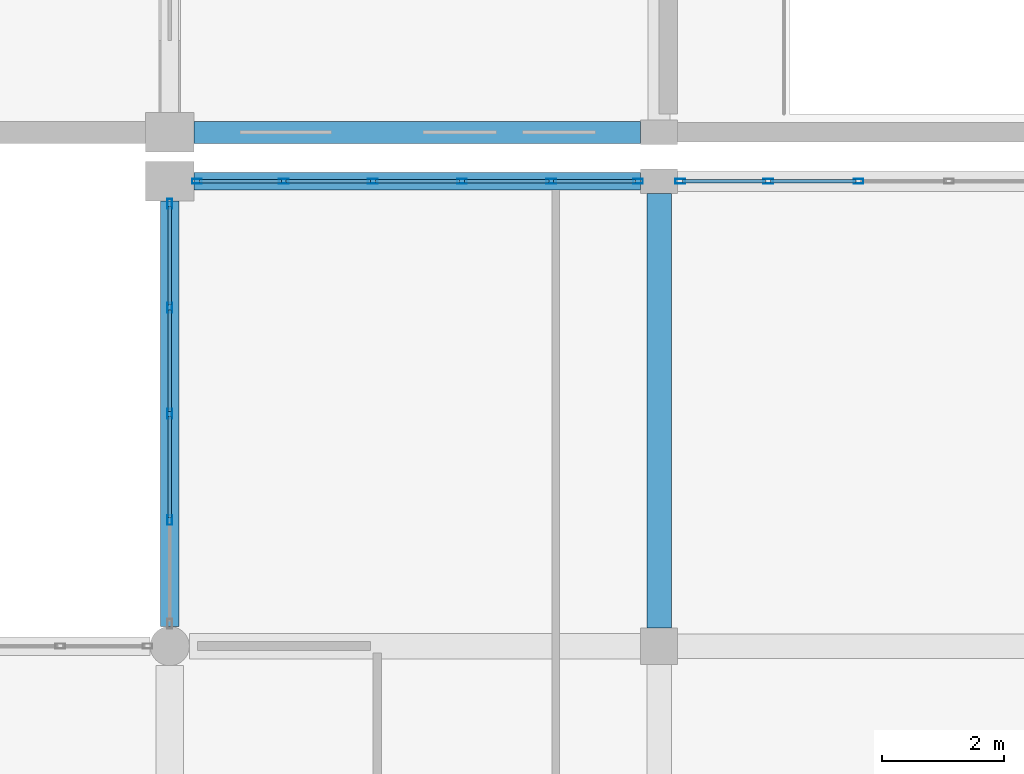
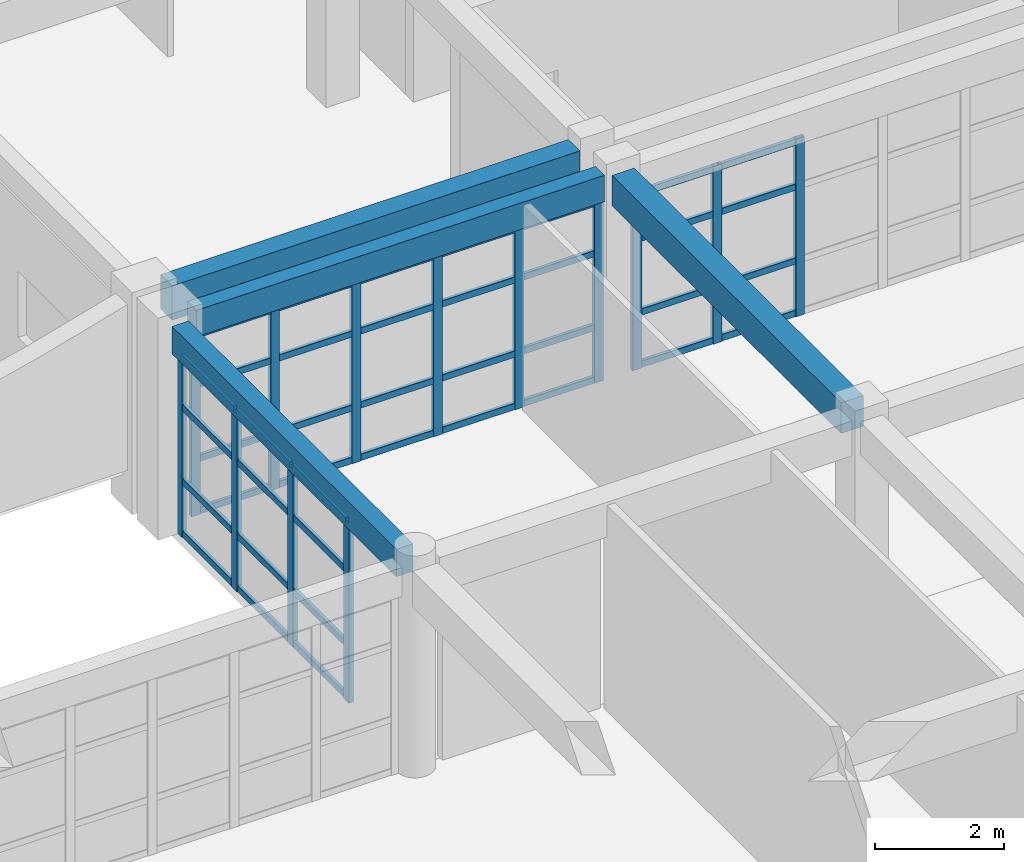
# One storey, part 25 of 121: 53 members, 4 beams, 3 elements without a shape of their own.
"""IFC4 building model written with IfcOpenShell, lengths in metres."""

from ifc_helpers import new_model, si_unit, direction, frame, origin, origin_2d, place, context, subcontext, project, spatial, rectangle, hollow_rectangle, extrude, material, material_profile, profile_set, type_object, element, aggregate, save


model = new_model("IFC4")

# Units and contexts
model_context = context("Model", 3, precision=1e-05, world=origin(), true_north=direction((0.0, 1.0)))
body_context = subcontext(model_context, "Body", "Model", "MODEL_VIEW")
ifc_project = project(units=[si_unit("LENGTHUNIT", "METRE"), si_unit("AREAUNIT", "SQUARE_METRE"), si_unit("VOLUMEUNIT", "CUBIC_METRE"), si_unit("PLANEANGLEUNIT", "RADIAN"), si_unit("MASSUNIT", "GRAM", prefix="KILO")], contexts=[model_context])

# Site, building, storey
site_placement = place(None, origin())
site = spatial("IfcSite", under=ifc_project, at=site_placement, CompositionType="ELEMENT")
building_placement = place(site_placement, origin())
building = spatial("IfcBuilding", under=site, at=building_placement, Name="Kharva Crest Polytechnic", CompositionType="ELEMENT")
storey_placement = place(building_placement, frame((0.0, 0.0, 13.199951171875)))
storey = spatial("IfcBuildingStorey", under=building, at=storey_placement, Name="L03", CompositionType="ELEMENT", Elevation=13.199951171875)

# Beam
ifc_material_1 = material(Name="Concrete C35/45", Category="concrete")
ifc_material_profile_1 = material_profile(ifc_material_1, rectangle(XDim=0.39990234375, YDim=0.580078125, at=origin_2d()), Name="RECT 400 X 580")
ifc_profile_set_1 = profile_set([ifc_material_profile_1], Name="Concrete C35/45")
beam_type_1 = type_object("IfcBeamType", Name="BM-RC-400X580", PredefinedType="BEAM", material=ifc_profile_set_1)
beam_1_placement = place(storey_placement, frame((40.0, 30.699951171875, 3.670166015625), z_axis=(0.0, 1.0, 0.0), x_axis=(-1.0, 0.0, 0.0)))
element("IfcBeam", 1, at=beam_1_placement, inside=storey, type_object=beam_type_1, Name="L03 Girder 6/E-F", PredefinedType="BEAM", context=body_context, shape_type="SweptSolid", body=[
    extrude(rectangle(XDim=0.39990234375, YDim=0.580078125, at=origin_2d()), origin(), (0.0, 0.0, 1.0), 7.10009765625),
])

# Curtain wall, members
ifc_material_2 = material(Name="Tempered insulated glass", Category="glass")
curtain_wall_type = type_object("IfcCurtainWallType", Name="CW-SYS-COURT", PredefinedType="USERDEFINED", material=ifc_material_2)
curtain_wall_1_placement = place(storey_placement, origin())
curtain_wall_1 = element("IfcCurtainWall", 2, at=curtain_wall_1_placement, inside=storey, type_object=curtain_wall_type, Name="L03 Glazed Curtain Wall CW-127", ObjectType="CURTAIN WALL", PredefinedType="USERDEFINED")
ifc_material_3 = material(Name="Steel S355", Category="steel")
ifc_material_profile_2 = material_profile(ifc_material_3, hollow_rectangle(XDim=0.080078125, YDim=0.159912109375, WallThickness=0.0048828125, at=origin_2d()), Name="RHS 160X80X5.0")
ifc_profile_set_2 = profile_set([ifc_material_profile_2], Name="Steel S355")
member_type_1 = type_object("IfcMemberType", Name="CWM-RHS160X80", PredefinedType="MULLION", material=ifc_profile_set_2)
member_1_placement = place(storey_placement, frame((43.260986328125, 38.0, 0.0), z_axis=(0.0, 0.0, 1.0), x_axis=(0.0, -1.0, 0.0)))
member_1 = element("IfcMember", 3, at=member_1_placement, type_object=member_type_1, Name="CW-127 mullion 4", PredefinedType="MULLION", context=body_context, shape_type="SweptSolid", body=[
    extrude(hollow_rectangle(XDim=0.080078125, YDim=0.159912109375, WallThickness=0.0048828125, at=origin_2d()), origin(), (0.0, 0.0, 1.0), 3.360107421875),
])
member_2_placement = place(storey_placement, frame((41.782958984375, 38.0, 0.0), z_axis=(0.0, 0.0, 1.0), x_axis=(0.0, -1.0, 0.0)))
member_2 = element("IfcMember", 4, at=member_2_placement, type_object=member_type_1, Name="CW-127 mullion 5", PredefinedType="MULLION", context=body_context, shape_type="SweptSolid", body=[
    extrude(hollow_rectangle(XDim=0.080078125, YDim=0.159912109375, WallThickness=0.0048828125, at=origin_2d()), origin(), (0.0, 0.0, 1.0), 3.360107421875),
])
member_3_placement = place(storey_placement, frame((40.344970703125, 38.0, 0.0), z_axis=(0.0, 0.0, 1.0), x_axis=(0.0, -1.0, 0.0)))
member_3 = element("IfcMember", 5, at=member_3_placement, type_object=member_type_1, Name="CW-127 mullion 6", PredefinedType="MULLION", context=body_context, shape_type="SweptSolid", body=[
    extrude(hollow_rectangle(XDim=0.080078125, YDim=0.159912109375, WallThickness=0.0048828125, at=origin_2d()), origin(), (0.0, 0.0, 1.0), 3.360107421875),
])

curtain_wall_2_placement = place(storey_placement, origin())
curtain_wall_2 = element("IfcCurtainWall", 6, at=curtain_wall_2_placement, inside=storey, type_object=curtain_wall_type, Name="L03 Glazed Curtain Wall CW-128", ObjectType="CURTAIN WALL", PredefinedType="USERDEFINED")
member_4_placement = place(storey_placement, frame((39.655029296875, 38.0, 0.0), z_axis=(0.0, 0.0, 1.0), x_axis=(0.0, -1.0, 0.0)))
member_4 = element("IfcMember", 7, at=member_4_placement, type_object=member_type_1, Name="CW-128 mullion 1", PredefinedType="MULLION", context=body_context, shape_type="SweptSolid", body=[
    extrude(hollow_rectangle(XDim=0.080078125, YDim=0.159912109375, WallThickness=0.0048828125, at=origin_2d()), origin(), (0.0, 0.0, 1.0), 3.4599609375),
])
member_5_placement = place(storey_placement, frame((38.237060546875, 38.0, 0.0), z_axis=(0.0, 0.0, 1.0), x_axis=(0.0, -1.0, 0.0)))
member_5 = element("IfcMember", 8, at=member_5_placement, type_object=member_type_1, Name="CW-128 mullion 2", PredefinedType="MULLION", context=body_context, shape_type="SweptSolid", body=[
    extrude(hollow_rectangle(XDim=0.080078125, YDim=0.159912109375, WallThickness=0.0048828125, at=origin_2d()), origin(), (0.0, 0.0, 1.0), 3.4599609375),
])
member_6_placement = place(storey_placement, frame((36.779052734375, 38.0, 0.0), z_axis=(0.0, 0.0, 1.0), x_axis=(0.0, -1.0, 0.0)))
member_6 = element("IfcMember", 9, at=member_6_placement, type_object=member_type_1, Name="CW-128 mullion 3", PredefinedType="MULLION", context=body_context, shape_type="SweptSolid", body=[
    extrude(hollow_rectangle(XDim=0.080078125, YDim=0.159912109375, WallThickness=0.0048828125, at=origin_2d()), origin(), (0.0, 0.0, 1.0), 3.4599609375),
])
member_7_placement = place(storey_placement, frame((35.321044921875, 38.0, 0.0), z_axis=(0.0, 0.0, 1.0), x_axis=(0.0, -1.0, 0.0)))
member_7 = element("IfcMember", 10, at=member_7_placement, type_object=member_type_1, Name="CW-128 mullion 4", PredefinedType="MULLION", context=body_context, shape_type="SweptSolid", body=[
    extrude(hollow_rectangle(XDim=0.080078125, YDim=0.159912109375, WallThickness=0.0048828125, at=origin_2d()), origin(), (0.0, 0.0, 1.0), 3.4599609375),
])
member_8_placement = place(storey_placement, frame((33.863037109375, 38.0, 0.0), z_axis=(0.0, 0.0, 1.0), x_axis=(0.0, -1.0, 0.0)))
member_8 = element("IfcMember", 11, at=member_8_placement, type_object=member_type_1, Name="CW-128 mullion 5", PredefinedType="MULLION", context=body_context, shape_type="SweptSolid", body=[
    extrude(hollow_rectangle(XDim=0.080078125, YDim=0.159912109375, WallThickness=0.0048828125, at=origin_2d()), origin(), (0.0, 0.0, 1.0), 3.4599609375),
])
member_9_placement = place(storey_placement, frame((32.445068359375, 38.0, 0.0), z_axis=(0.0, 0.0, 1.0), x_axis=(0.0, -1.0, 0.0)))
member_9 = element("IfcMember", 12, at=member_9_placement, type_object=member_type_1, Name="CW-128 mullion 6", PredefinedType="MULLION", context=body_context, shape_type="SweptSolid", body=[
    extrude(hollow_rectangle(XDim=0.080078125, YDim=0.159912109375, WallThickness=0.0048828125, at=origin_2d()), origin(), (0.0, 0.0, 1.0), 3.4599609375),
])

curtain_wall_3_placement = place(storey_placement, origin())
curtain_wall_3 = element("IfcCurtainWall", 13, at=curtain_wall_3_placement, inside=storey, type_object=curtain_wall_type, Name="L03 Glazed Curtain Wall CW-129", ObjectType="CURTAIN WALL", PredefinedType="USERDEFINED")
member_10_placement = place(storey_placement, frame((32.0, 37.6298828125, 0.0), z_axis=(0.0, 0.0, 1.0), x_axis=(1.0, 0.0, 0.0)))
member_10 = element("IfcMember", 14, at=member_10_placement, type_object=member_type_1, Name="CW-129 mullion 1", PredefinedType="MULLION", context=body_context, shape_type="SweptSolid", body=[
    extrude(hollow_rectangle(XDim=0.080078125, YDim=0.159912109375, WallThickness=0.0048828125, at=origin_2d()), origin(), (0.0, 0.0, 1.0), 3.43994140625),
])
member_11_placement = place(storey_placement, frame((32.0, 35.933837890625, 0.0), z_axis=(0.0, 0.0, 1.0), x_axis=(1.0, 0.0, 0.0)))
member_11 = element("IfcMember", 15, at=member_11_placement, type_object=member_type_1, Name="CW-129 mullion 2", PredefinedType="MULLION", context=body_context, shape_type="SweptSolid", body=[
    extrude(hollow_rectangle(XDim=0.080078125, YDim=0.159912109375, WallThickness=0.0048828125, at=origin_2d()), origin(), (0.0, 0.0, 1.0), 3.43994140625),
])
member_12_placement = place(storey_placement, frame((32.0, 34.197509765625, 0.0), z_axis=(0.0, 0.0, 1.0), x_axis=(1.0, 0.0, 0.0)))
member_12 = element("IfcMember", 16, at=member_12_placement, type_object=member_type_1, Name="CW-129 mullion 3", PredefinedType="MULLION", context=body_context, shape_type="SweptSolid", body=[
    extrude(hollow_rectangle(XDim=0.080078125, YDim=0.159912109375, WallThickness=0.0048828125, at=origin_2d()), origin(), (0.0, 0.0, 1.0), 3.43994140625),
])
member_13_placement = place(storey_placement, frame((32.0, 32.461181640625, 0.0), z_axis=(0.0, 0.0, 1.0), x_axis=(1.0, 0.0, 0.0)))
member_13 = element("IfcMember", 17, at=member_13_placement, type_object=member_type_1, Name="CW-129 mullion 4", PredefinedType="MULLION", context=body_context, shape_type="SweptSolid", body=[
    extrude(hollow_rectangle(XDim=0.080078125, YDim=0.159912109375, WallThickness=0.0048828125, at=origin_2d()), origin(), (0.0, 0.0, 1.0), 3.43994140625),
])

# Member
ifc_material_profile_3 = material_profile(ifc_material_3, hollow_rectangle(XDim=0.06005859375, YDim=0.1201171875, WallThickness=0.00390625, at=origin_2d()), Name="RHS 120X60X4.0")
ifc_profile_set_3 = profile_set([ifc_material_profile_3], Name="Steel S355")
member_type_2 = type_object("IfcMemberType", Name="CWT-RHS120X60", PredefinedType="USERDEFINED", material=ifc_profile_set_3)
member_14_placement = place(storey_placement, frame((43.220947265625, 38.0, 0.06005859375), z_axis=(-1.0, 0.0, 0.0), x_axis=(0.0, -1.0, 0.0)))
member_14 = element("IfcMember", 18, at=member_14_placement, type_object=member_type_2, Name="CW-127 transom 4.1", ObjectType="TRANSOM", PredefinedType="USERDEFINED", context=body_context, shape_type="SweptSolid", body=[
    extrude(hollow_rectangle(XDim=0.06005859375, YDim=0.1201171875, WallThickness=0.00390625, at=origin_2d()), origin(), (0.0, 0.0, 1.0), 1.39794921875),
])

member_15_placement = place(storey_placement, frame((43.220947265625, 38.0, 1.050048828125), z_axis=(-1.0, 0.0, 0.0), x_axis=(0.0, -1.0, 0.0)))
member_15 = element("IfcMember", 19, at=member_15_placement, type_object=member_type_2, Name="CW-127 transom 4.2", ObjectType="TRANSOM", PredefinedType="USERDEFINED", context=body_context, shape_type="SweptSolid", body=[
    extrude(hollow_rectangle(XDim=0.06005859375, YDim=0.1201171875, WallThickness=0.00390625, at=origin_2d()), origin(), (0.0, 0.0, 1.0), 1.39794921875),
])

member_16_placement = place(storey_placement, frame((43.220947265625, 38.0, 2.449951171875), z_axis=(-1.0, 0.0, 0.0), x_axis=(0.0, -1.0, 0.0)))
member_16 = element("IfcMember", 20, at=member_16_placement, type_object=member_type_2, Name="CW-127 transom 4.3", ObjectType="TRANSOM", PredefinedType="USERDEFINED", context=body_context, shape_type="SweptSolid", body=[
    extrude(hollow_rectangle(XDim=0.06005859375, YDim=0.1201171875, WallThickness=0.00390625, at=origin_2d()), origin(), (0.0, 0.0, 1.0), 1.39794921875),
])

member_17_placement = place(storey_placement, frame((43.220947265625, 38.0, 3.300048828125), z_axis=(-1.0, 0.0, 0.0), x_axis=(0.0, -1.0, 0.0)))
member_17 = element("IfcMember", 21, at=member_17_placement, type_object=member_type_2, Name="CW-127 transom 4.4", ObjectType="TRANSOM", PredefinedType="USERDEFINED", context=body_context, shape_type="SweptSolid", body=[
    extrude(hollow_rectangle(XDim=0.06005859375, YDim=0.1201171875, WallThickness=0.00390625, at=origin_2d()), origin(), (0.0, 0.0, 1.0), 1.39794921875),
])

member_18_placement = place(storey_placement, frame((41.742919921875, 38.0, 0.06005859375), z_axis=(-1.0, 0.0, 0.0), x_axis=(0.0, -1.0, 0.0)))
member_18 = element("IfcMember", 22, at=member_18_placement, type_object=member_type_2, Name="CW-127 transom 5.1", ObjectType="TRANSOM", PredefinedType="USERDEFINED", context=body_context, shape_type="SweptSolid", body=[
    extrude(hollow_rectangle(XDim=0.06005859375, YDim=0.1201171875, WallThickness=0.00390625, at=origin_2d()), origin(), (0.0, 0.0, 1.0), 1.35791015625),
])

member_19_placement = place(storey_placement, frame((41.742919921875, 38.0, 1.050048828125), z_axis=(-1.0, 0.0, 0.0), x_axis=(0.0, -1.0, 0.0)))
member_19 = element("IfcMember", 23, at=member_19_placement, type_object=member_type_2, Name="CW-127 transom 5.2", ObjectType="TRANSOM", PredefinedType="USERDEFINED", context=body_context, shape_type="SweptSolid", body=[
    extrude(hollow_rectangle(XDim=0.06005859375, YDim=0.1201171875, WallThickness=0.00390625, at=origin_2d()), origin(), (0.0, 0.0, 1.0), 1.35791015625),
])

member_20_placement = place(storey_placement, frame((41.742919921875, 38.0, 2.449951171875), z_axis=(-1.0, 0.0, 0.0), x_axis=(0.0, -1.0, 0.0)))
member_20 = element("IfcMember", 24, at=member_20_placement, type_object=member_type_2, Name="CW-127 transom 5.3", ObjectType="TRANSOM", PredefinedType="USERDEFINED", context=body_context, shape_type="SweptSolid", body=[
    extrude(hollow_rectangle(XDim=0.06005859375, YDim=0.1201171875, WallThickness=0.00390625, at=origin_2d()), origin(), (0.0, 0.0, 1.0), 1.35791015625),
])

member_21_placement = place(storey_placement, frame((41.742919921875, 38.0, 3.300048828125), z_axis=(-1.0, 0.0, 0.0), x_axis=(0.0, -1.0, 0.0)))
member_21 = element("IfcMember", 25, at=member_21_placement, type_object=member_type_2, Name="CW-127 transom 5.4", ObjectType="TRANSOM", PredefinedType="USERDEFINED", context=body_context, shape_type="SweptSolid", body=[
    extrude(hollow_rectangle(XDim=0.06005859375, YDim=0.1201171875, WallThickness=0.00390625, at=origin_2d()), origin(), (0.0, 0.0, 1.0), 1.35791015625),
])

aggregate(curtain_wall_1, [member_1, member_2, member_3, member_14, member_15, member_16, member_17, member_18, member_19, member_20, member_21])

member_22_placement = place(storey_placement, frame((39.614990234375, 38.0, 0.06005859375), z_axis=(-1.0, 0.0, 0.0), x_axis=(0.0, -1.0, 0.0)))
member_22 = element("IfcMember", 26, at=member_22_placement, type_object=member_type_2, Name="CW-128 transom 1.1", ObjectType="TRANSOM", PredefinedType="USERDEFINED", context=body_context, shape_type="SweptSolid", body=[
    extrude(hollow_rectangle(XDim=0.06005859375, YDim=0.1201171875, WallThickness=0.00390625, at=origin_2d()), origin(), (0.0, 0.0, 1.0), 1.337890625),
])

member_23_placement = place(storey_placement, frame((39.614990234375, 38.0, 1.050048828125), z_axis=(-1.0, 0.0, 0.0), x_axis=(0.0, -1.0, 0.0)))
member_23 = element("IfcMember", 27, at=member_23_placement, type_object=member_type_2, Name="CW-128 transom 1.2", ObjectType="TRANSOM", PredefinedType="USERDEFINED", context=body_context, shape_type="SweptSolid", body=[
    extrude(hollow_rectangle(XDim=0.06005859375, YDim=0.1201171875, WallThickness=0.00390625, at=origin_2d()), origin(), (0.0, 0.0, 1.0), 1.337890625),
])

member_24_placement = place(storey_placement, frame((39.614990234375, 38.0, 2.449951171875), z_axis=(-1.0, 0.0, 0.0), x_axis=(0.0, -1.0, 0.0)))
member_24 = element("IfcMember", 28, at=member_24_placement, type_object=member_type_2, Name="CW-128 transom 1.3", ObjectType="TRANSOM", PredefinedType="USERDEFINED", context=body_context, shape_type="SweptSolid", body=[
    extrude(hollow_rectangle(XDim=0.06005859375, YDim=0.1201171875, WallThickness=0.00390625, at=origin_2d()), origin(), (0.0, 0.0, 1.0), 1.337890625),
])

member_25_placement = place(storey_placement, frame((39.614990234375, 38.0, 3.400146484375), z_axis=(-1.0, 0.0, 0.0), x_axis=(0.0, -1.0, 0.0)))
member_25 = element("IfcMember", 29, at=member_25_placement, type_object=member_type_2, Name="CW-128 transom 1.4", ObjectType="TRANSOM", PredefinedType="USERDEFINED", context=body_context, shape_type="SweptSolid", body=[
    extrude(hollow_rectangle(XDim=0.06005859375, YDim=0.1201171875, WallThickness=0.00390625, at=origin_2d()), origin(), (0.0, 0.0, 1.0), 1.337890625),
])

member_26_placement = place(storey_placement, frame((38.197021484375, 38.0, 0.06005859375), z_axis=(-1.0, 0.0, 0.0), x_axis=(0.0, -1.0, 0.0)))
member_26 = element("IfcMember", 30, at=member_26_placement, type_object=member_type_2, Name="CW-128 transom 2.1", ObjectType="TRANSOM", PredefinedType="USERDEFINED", context=body_context, shape_type="SweptSolid", body=[
    extrude(hollow_rectangle(XDim=0.06005859375, YDim=0.1201171875, WallThickness=0.00390625, at=origin_2d()), origin(), (0.0, 0.0, 1.0), 1.3779296875),
])

member_27_placement = place(storey_placement, frame((38.197021484375, 38.0, 1.050048828125), z_axis=(-1.0, 0.0, 0.0), x_axis=(0.0, -1.0, 0.0)))
member_27 = element("IfcMember", 31, at=member_27_placement, type_object=member_type_2, Name="CW-128 transom 2.2", ObjectType="TRANSOM", PredefinedType="USERDEFINED", context=body_context, shape_type="SweptSolid", body=[
    extrude(hollow_rectangle(XDim=0.06005859375, YDim=0.1201171875, WallThickness=0.00390625, at=origin_2d()), origin(), (0.0, 0.0, 1.0), 1.3779296875),
])

member_28_placement = place(storey_placement, frame((38.197021484375, 38.0, 2.449951171875), z_axis=(-1.0, 0.0, 0.0), x_axis=(0.0, -1.0, 0.0)))
member_28 = element("IfcMember", 32, at=member_28_placement, type_object=member_type_2, Name="CW-128 transom 2.3", ObjectType="TRANSOM", PredefinedType="USERDEFINED", context=body_context, shape_type="SweptSolid", body=[
    extrude(hollow_rectangle(XDim=0.06005859375, YDim=0.1201171875, WallThickness=0.00390625, at=origin_2d()), origin(), (0.0, 0.0, 1.0), 1.3779296875),
])

member_29_placement = place(storey_placement, frame((38.197021484375, 38.0, 3.400146484375), z_axis=(-1.0, 0.0, 0.0), x_axis=(0.0, -1.0, 0.0)))
member_29 = element("IfcMember", 33, at=member_29_placement, type_object=member_type_2, Name="CW-128 transom 2.4", ObjectType="TRANSOM", PredefinedType="USERDEFINED", context=body_context, shape_type="SweptSolid", body=[
    extrude(hollow_rectangle(XDim=0.06005859375, YDim=0.1201171875, WallThickness=0.00390625, at=origin_2d()), origin(), (0.0, 0.0, 1.0), 1.3779296875),
])

member_30_placement = place(storey_placement, frame((36.739013671875, 38.0, 0.06005859375), z_axis=(-1.0, 0.0, 0.0), x_axis=(0.0, -1.0, 0.0)))
member_30 = element("IfcMember", 34, at=member_30_placement, type_object=member_type_2, Name="CW-128 transom 3.1", ObjectType="TRANSOM", PredefinedType="USERDEFINED", context=body_context, shape_type="SweptSolid", body=[
    extrude(hollow_rectangle(XDim=0.06005859375, YDim=0.1201171875, WallThickness=0.00390625, at=origin_2d()), origin(), (0.0, 0.0, 1.0), 1.3779296875),
])

member_31_placement = place(storey_placement, frame((36.739013671875, 38.0, 1.050048828125), z_axis=(-1.0, 0.0, 0.0), x_axis=(0.0, -1.0, 0.0)))
member_31 = element("IfcMember", 35, at=member_31_placement, type_object=member_type_2, Name="CW-128 transom 3.2", ObjectType="TRANSOM", PredefinedType="USERDEFINED", context=body_context, shape_type="SweptSolid", body=[
    extrude(hollow_rectangle(XDim=0.06005859375, YDim=0.1201171875, WallThickness=0.00390625, at=origin_2d()), origin(), (0.0, 0.0, 1.0), 1.3779296875),
])

member_32_placement = place(storey_placement, frame((36.739013671875, 38.0, 2.449951171875), z_axis=(-1.0, 0.0, 0.0), x_axis=(0.0, -1.0, 0.0)))
member_32 = element("IfcMember", 36, at=member_32_placement, type_object=member_type_2, Name="CW-128 transom 3.3", ObjectType="TRANSOM", PredefinedType="USERDEFINED", context=body_context, shape_type="SweptSolid", body=[
    extrude(hollow_rectangle(XDim=0.06005859375, YDim=0.1201171875, WallThickness=0.00390625, at=origin_2d()), origin(), (0.0, 0.0, 1.0), 1.3779296875),
])

member_33_placement = place(storey_placement, frame((36.739013671875, 38.0, 3.400146484375), z_axis=(-1.0, 0.0, 0.0), x_axis=(0.0, -1.0, 0.0)))
member_33 = element("IfcMember", 37, at=member_33_placement, type_object=member_type_2, Name="CW-128 transom 3.4", ObjectType="TRANSOM", PredefinedType="USERDEFINED", context=body_context, shape_type="SweptSolid", body=[
    extrude(hollow_rectangle(XDim=0.06005859375, YDim=0.1201171875, WallThickness=0.00390625, at=origin_2d()), origin(), (0.0, 0.0, 1.0), 1.3779296875),
])

member_34_placement = place(storey_placement, frame((35.281005859375, 38.0, 0.06005859375), z_axis=(-1.0, 0.0, 0.0), x_axis=(0.0, -1.0, 0.0)))
member_34 = element("IfcMember", 38, at=member_34_placement, type_object=member_type_2, Name="CW-128 transom 4.1", ObjectType="TRANSOM", PredefinedType="USERDEFINED", context=body_context, shape_type="SweptSolid", body=[
    extrude(hollow_rectangle(XDim=0.06005859375, YDim=0.1201171875, WallThickness=0.00390625, at=origin_2d()), origin(), (0.0, 0.0, 1.0), 1.3779296875),
])

member_35_placement = place(storey_placement, frame((35.281005859375, 38.0, 1.050048828125), z_axis=(-1.0, 0.0, 0.0), x_axis=(0.0, -1.0, 0.0)))
member_35 = element("IfcMember", 39, at=member_35_placement, type_object=member_type_2, Name="CW-128 transom 4.2", ObjectType="TRANSOM", PredefinedType="USERDEFINED", context=body_context, shape_type="SweptSolid", body=[
    extrude(hollow_rectangle(XDim=0.06005859375, YDim=0.1201171875, WallThickness=0.00390625, at=origin_2d()), origin(), (0.0, 0.0, 1.0), 1.3779296875),
])

member_36_placement = place(storey_placement, frame((35.281005859375, 38.0, 2.449951171875), z_axis=(-1.0, 0.0, 0.0), x_axis=(0.0, -1.0, 0.0)))
member_36 = element("IfcMember", 40, at=member_36_placement, type_object=member_type_2, Name="CW-128 transom 4.3", ObjectType="TRANSOM", PredefinedType="USERDEFINED", context=body_context, shape_type="SweptSolid", body=[
    extrude(hollow_rectangle(XDim=0.06005859375, YDim=0.1201171875, WallThickness=0.00390625, at=origin_2d()), origin(), (0.0, 0.0, 1.0), 1.3779296875),
])

member_37_placement = place(storey_placement, frame((35.281005859375, 38.0, 3.400146484375), z_axis=(-1.0, 0.0, 0.0), x_axis=(0.0, -1.0, 0.0)))
member_37 = element("IfcMember", 41, at=member_37_placement, type_object=member_type_2, Name="CW-128 transom 4.4", ObjectType="TRANSOM", PredefinedType="USERDEFINED", context=body_context, shape_type="SweptSolid", body=[
    extrude(hollow_rectangle(XDim=0.06005859375, YDim=0.1201171875, WallThickness=0.00390625, at=origin_2d()), origin(), (0.0, 0.0, 1.0), 1.3779296875),
])

member_38_placement = place(storey_placement, frame((33.822998046875, 38.0, 0.06005859375), z_axis=(-1.0, 0.0, 0.0), x_axis=(0.0, -1.0, 0.0)))
member_38 = element("IfcMember", 42, at=member_38_placement, type_object=member_type_2, Name="CW-128 transom 5.1", ObjectType="TRANSOM", PredefinedType="USERDEFINED", context=body_context, shape_type="SweptSolid", body=[
    extrude(hollow_rectangle(XDim=0.06005859375, YDim=0.1201171875, WallThickness=0.00390625, at=origin_2d()), origin(), (0.0, 0.0, 1.0), 1.337890625),
])

member_39_placement = place(storey_placement, frame((33.822998046875, 38.0, 1.050048828125), z_axis=(-1.0, 0.0, 0.0), x_axis=(0.0, -1.0, 0.0)))
member_39 = element("IfcMember", 43, at=member_39_placement, type_object=member_type_2, Name="CW-128 transom 5.2", ObjectType="TRANSOM", PredefinedType="USERDEFINED", context=body_context, shape_type="SweptSolid", body=[
    extrude(hollow_rectangle(XDim=0.06005859375, YDim=0.1201171875, WallThickness=0.00390625, at=origin_2d()), origin(), (0.0, 0.0, 1.0), 1.337890625),
])

member_40_placement = place(storey_placement, frame((33.822998046875, 38.0, 2.449951171875), z_axis=(-1.0, 0.0, 0.0), x_axis=(0.0, -1.0, 0.0)))
member_40 = element("IfcMember", 44, at=member_40_placement, type_object=member_type_2, Name="CW-128 transom 5.3", ObjectType="TRANSOM", PredefinedType="USERDEFINED", context=body_context, shape_type="SweptSolid", body=[
    extrude(hollow_rectangle(XDim=0.06005859375, YDim=0.1201171875, WallThickness=0.00390625, at=origin_2d()), origin(), (0.0, 0.0, 1.0), 1.337890625),
])

member_41_placement = place(storey_placement, frame((33.822998046875, 38.0, 3.400146484375), z_axis=(-1.0, 0.0, 0.0), x_axis=(0.0, -1.0, 0.0)))
member_41 = element("IfcMember", 45, at=member_41_placement, type_object=member_type_2, Name="CW-128 transom 5.4", ObjectType="TRANSOM", PredefinedType="USERDEFINED", context=body_context, shape_type="SweptSolid", body=[
    extrude(hollow_rectangle(XDim=0.06005859375, YDim=0.1201171875, WallThickness=0.00390625, at=origin_2d()), origin(), (0.0, 0.0, 1.0), 1.337890625),
])

aggregate(curtain_wall_2, [member_4, member_5, member_6, member_7, member_8, member_9, member_22, member_23, member_24, member_25, member_26, member_27, member_28, member_29, member_30, member_31, member_32, member_33, member_34, member_35, member_36, member_37, member_38, member_39, member_40, member_41])

member_42_placement = place(storey_placement, frame((32.0, 37.590087890625, 0.06005859375), z_axis=(0.0, -1.0, 0.0), x_axis=(1.0, 0.0, 0.0)))
member_42 = element("IfcMember", 46, at=member_42_placement, type_object=member_type_2, Name="CW-129 transom 1.1", ObjectType="TRANSOM", PredefinedType="USERDEFINED", context=body_context, shape_type="SweptSolid", body=[
    extrude(hollow_rectangle(XDim=0.06005859375, YDim=0.1201171875, WallThickness=0.00390625, at=origin_2d()), origin(), (0.0, 0.0, 1.0), 1.616455078125),
])

member_43_placement = place(storey_placement, frame((32.0, 37.590087890625, 1.050048828125), z_axis=(0.0, -1.0, 0.0), x_axis=(1.0, 0.0, 0.0)))
member_43 = element("IfcMember", 47, at=member_43_placement, type_object=member_type_2, Name="CW-129 transom 1.2", ObjectType="TRANSOM", PredefinedType="USERDEFINED", context=body_context, shape_type="SweptSolid", body=[
    extrude(hollow_rectangle(XDim=0.06005859375, YDim=0.1201171875, WallThickness=0.00390625, at=origin_2d()), origin(), (0.0, 0.0, 1.0), 1.616455078125),
])

member_44_placement = place(storey_placement, frame((32.0, 37.590087890625, 2.449951171875), z_axis=(0.0, -1.0, 0.0), x_axis=(1.0, 0.0, 0.0)))
member_44 = element("IfcMember", 48, at=member_44_placement, type_object=member_type_2, Name="CW-129 transom 1.3", ObjectType="TRANSOM", PredefinedType="USERDEFINED", context=body_context, shape_type="SweptSolid", body=[
    extrude(hollow_rectangle(XDim=0.06005859375, YDim=0.1201171875, WallThickness=0.00390625, at=origin_2d()), origin(), (0.0, 0.0, 1.0), 1.616455078125),
])

member_45_placement = place(storey_placement, frame((32.0, 37.590087890625, 3.380126953125), z_axis=(0.0, -1.0, 0.0), x_axis=(1.0, 0.0, 0.0)))
member_45 = element("IfcMember", 49, at=member_45_placement, type_object=member_type_2, Name="CW-129 transom 1.4", ObjectType="TRANSOM", PredefinedType="USERDEFINED", context=body_context, shape_type="SweptSolid", body=[
    extrude(hollow_rectangle(XDim=0.06005859375, YDim=0.1201171875, WallThickness=0.00390625, at=origin_2d()), origin(), (0.0, 0.0, 1.0), 1.616455078125),
])

member_46_placement = place(storey_placement, frame((32.0, 35.893798828125, 0.06005859375), z_axis=(0.0, -1.0, 0.0), x_axis=(1.0, 0.0, 0.0)))
member_46 = element("IfcMember", 50, at=member_46_placement, type_object=member_type_2, Name="CW-129 transom 2.1", ObjectType="TRANSOM", PredefinedType="USERDEFINED", context=body_context, shape_type="SweptSolid", body=[
    extrude(hollow_rectangle(XDim=0.06005859375, YDim=0.1201171875, WallThickness=0.00390625, at=origin_2d()), origin(), (0.0, 0.0, 1.0), 1.65625),
])

member_47_placement = place(storey_placement, frame((32.0, 35.893798828125, 1.050048828125), z_axis=(0.0, -1.0, 0.0), x_axis=(1.0, 0.0, 0.0)))
member_47 = element("IfcMember", 51, at=member_47_placement, type_object=member_type_2, Name="CW-129 transom 2.2", ObjectType="TRANSOM", PredefinedType="USERDEFINED", context=body_context, shape_type="SweptSolid", body=[
    extrude(hollow_rectangle(XDim=0.06005859375, YDim=0.1201171875, WallThickness=0.00390625, at=origin_2d()), origin(), (0.0, 0.0, 1.0), 1.65625),
])

member_48_placement = place(storey_placement, frame((32.0, 35.893798828125, 2.449951171875), z_axis=(0.0, -1.0, 0.0), x_axis=(1.0, 0.0, 0.0)))
member_48 = element("IfcMember", 52, at=member_48_placement, type_object=member_type_2, Name="CW-129 transom 2.3", ObjectType="TRANSOM", PredefinedType="USERDEFINED", context=body_context, shape_type="SweptSolid", body=[
    extrude(hollow_rectangle(XDim=0.06005859375, YDim=0.1201171875, WallThickness=0.00390625, at=origin_2d()), origin(), (0.0, 0.0, 1.0), 1.65625),
])

member_49_placement = place(storey_placement, frame((32.0, 35.893798828125, 3.380126953125), z_axis=(0.0, -1.0, 0.0), x_axis=(1.0, 0.0, 0.0)))
member_49 = element("IfcMember", 53, at=member_49_placement, type_object=member_type_2, Name="CW-129 transom 2.4", ObjectType="TRANSOM", PredefinedType="USERDEFINED", context=body_context, shape_type="SweptSolid", body=[
    extrude(hollow_rectangle(XDim=0.06005859375, YDim=0.1201171875, WallThickness=0.00390625, at=origin_2d()), origin(), (0.0, 0.0, 1.0), 1.65625),
])

member_50_placement = place(storey_placement, frame((32.0, 34.157470703125, 0.06005859375), z_axis=(0.0, -1.0, 0.0), x_axis=(1.0, 0.0, 0.0)))
member_50 = element("IfcMember", 54, at=member_50_placement, type_object=member_type_2, Name="CW-129 transom 3.1", ObjectType="TRANSOM", PredefinedType="USERDEFINED", context=body_context, shape_type="SweptSolid", body=[
    extrude(hollow_rectangle(XDim=0.06005859375, YDim=0.1201171875, WallThickness=0.00390625, at=origin_2d()), origin(), (0.0, 0.0, 1.0), 1.65625),
])

member_51_placement = place(storey_placement, frame((32.0, 34.157470703125, 1.050048828125), z_axis=(0.0, -1.0, 0.0), x_axis=(1.0, 0.0, 0.0)))
member_51 = element("IfcMember", 55, at=member_51_placement, type_object=member_type_2, Name="CW-129 transom 3.2", ObjectType="TRANSOM", PredefinedType="USERDEFINED", context=body_context, shape_type="SweptSolid", body=[
    extrude(hollow_rectangle(XDim=0.06005859375, YDim=0.1201171875, WallThickness=0.00390625, at=origin_2d()), origin(), (0.0, 0.0, 1.0), 1.65625),
])

member_52_placement = place(storey_placement, frame((32.0, 34.157470703125, 2.449951171875), z_axis=(0.0, -1.0, 0.0), x_axis=(1.0, 0.0, 0.0)))
member_52 = element("IfcMember", 56, at=member_52_placement, type_object=member_type_2, Name="CW-129 transom 3.3", ObjectType="TRANSOM", PredefinedType="USERDEFINED", context=body_context, shape_type="SweptSolid", body=[
    extrude(hollow_rectangle(XDim=0.06005859375, YDim=0.1201171875, WallThickness=0.00390625, at=origin_2d()), origin(), (0.0, 0.0, 1.0), 1.65625),
])

member_53_placement = place(storey_placement, frame((32.0, 34.157470703125, 3.380126953125), z_axis=(0.0, -1.0, 0.0), x_axis=(1.0, 0.0, 0.0)))
member_53 = element("IfcMember", 57, at=member_53_placement, type_object=member_type_2, Name="CW-129 transom 3.4", ObjectType="TRANSOM", PredefinedType="USERDEFINED", context=body_context, shape_type="SweptSolid", body=[
    extrude(hollow_rectangle(XDim=0.06005859375, YDim=0.1201171875, WallThickness=0.00390625, at=origin_2d()), origin(), (0.0, 0.0, 1.0), 1.65625),
])

aggregate(curtain_wall_3, [member_10, member_11, member_12, member_13, member_42, member_43, member_44, member_45, member_46, member_47, member_48, member_49, member_50, member_51, member_52, member_53])

# Beams
ifc_material_profile_4 = material_profile(ifc_material_1, rectangle(XDim=0.280029296875, YDim=0.5, at=origin_2d()), Name="RECT 280 X 500")
ifc_profile_set_4 = profile_set([ifc_material_profile_4], Name="Concrete C35/45")
beam_type_2 = type_object("IfcBeamType", Name="SP-RC-280X500", PredefinedType="SPANDREL", material=ifc_profile_set_4)
beam_2_placement = place(storey_placement, frame((32.39990234375, 38.0, 3.7099609375), z_axis=(1.0, 0.0, 0.0), x_axis=(0.0, 1.0, 0.0)))
element("IfcBeam", 58, at=beam_2_placement, inside=storey, type_object=beam_type_2, Name="L03 Beam F/5-6", PredefinedType="SPANDREL", context=body_context, shape_type="SweptSolid", body=[
    extrude(rectangle(XDim=0.280029296875, YDim=0.5, at=origin_2d()), origin(), (0.0, 0.0, 1.0), 7.300048828125),
])
ifc_material_profile_5 = material_profile(ifc_material_1, rectangle(XDim=0.300048828125, YDim=0.52001953125, at=origin_2d()), Name="RECT 300 X 520")
ifc_profile_set_5 = profile_set([ifc_material_profile_5], Name="Concrete C35/45")
beam_type_3 = type_object("IfcBeamType", Name="SP-RC-300X520", PredefinedType="SPANDREL", material=ifc_profile_set_5)
beam_3_placement = place(storey_placement, frame((32.0, 30.719970703125, 3.699951171875), z_axis=(0.0, 1.0, 0.0), x_axis=(-1.0, 0.0, 0.0)))
element("IfcBeam", 59, at=beam_3_placement, inside=storey, type_object=beam_type_3, Name="L03 Girder 5/E-F", PredefinedType="SPANDREL", context=body_context, shape_type="SweptSolid", body=[
    extrude(rectangle(XDim=0.300048828125, YDim=0.52001953125, at=origin_2d()), origin(), (0.0, 0.0, 1.0), 6.955078125),
])
ifc_material_profile_6 = material_profile(ifc_material_1, rectangle(XDim=0.360107421875, YDim=0.64990234375, at=origin_2d()), Name="RECT 360 X 650")
ifc_profile_set_6 = profile_set([ifc_material_profile_6], Name="Concrete C35/45")
beam_type_4 = type_object("IfcBeamType", Name="SP-RC-360X650", PredefinedType="SPANDREL", material=ifc_profile_set_6)
beam_4_placement = place(storey_placement, frame((32.39990234375, 38.800048828125, 3.635009765625), z_axis=(1.0, 0.0, 0.0), x_axis=(0.0, 1.0, 0.0)))
element("IfcBeam", 60, at=beam_4_placement, inside=storey, type_object=beam_type_4, Name="L03 Beam FJ/5-6", PredefinedType="SPANDREL", context=body_context, shape_type="SweptSolid", body=[
    extrude(rectangle(XDim=0.360107421875, YDim=0.64990234375, at=origin_2d()), origin(), (0.0, 0.0, 1.0), 7.300048828125),
])

save(model, "model.ifc")
